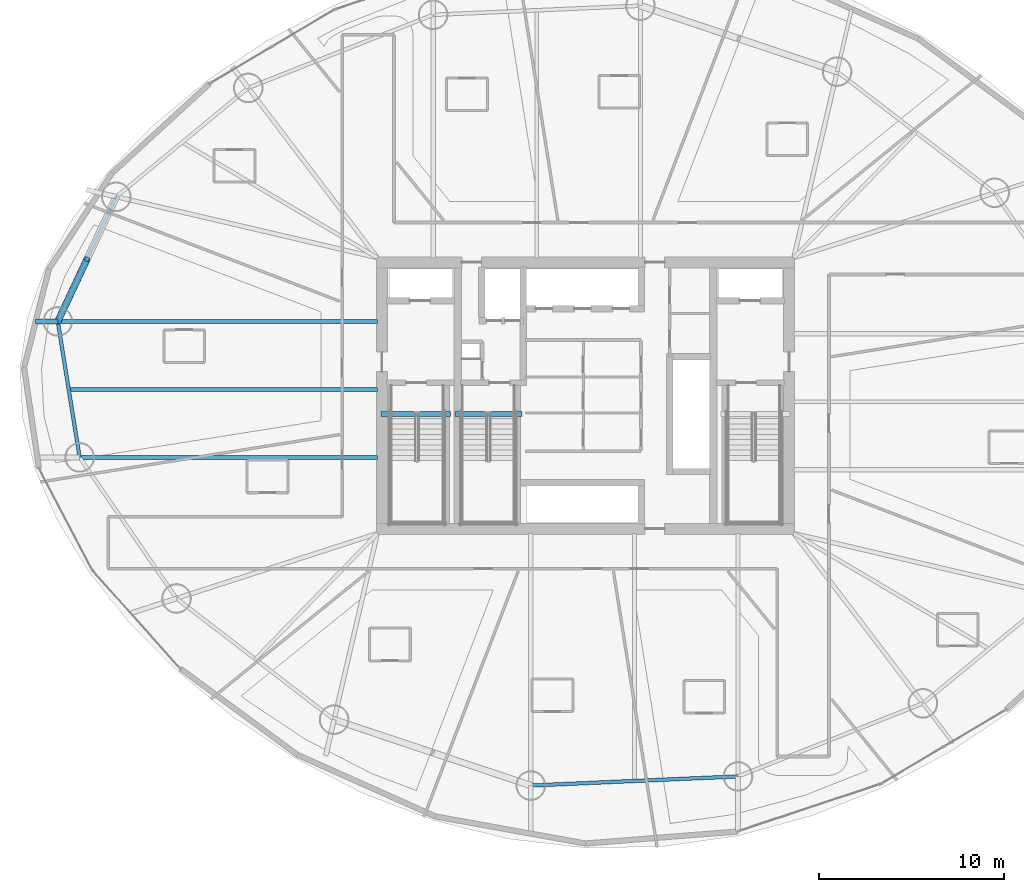
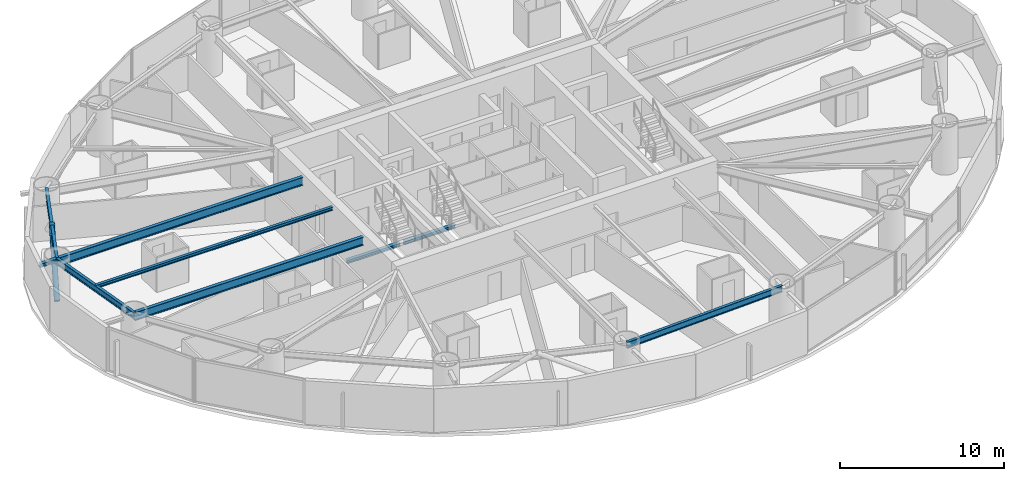
# One storey, part 5 of 25: 9 beams, 1 member.
"""IFC4 building model written with IfcOpenShell, lengths in metres."""

from ifc_helpers import new_model, si_unit, direction, frame, origin, origin_2d, place, context, subcontext, project, spatial, hollow_circle, i_section, extrude, material, material_profile, profile_set, type_object, element, save


model = new_model("IFC4")

# Units and contexts
model_context = context("Model", 3, precision=1e-05, world=origin(), true_north=direction((0.0, 1.0)))
body_context = subcontext(model_context, "Body", "Model", "MODEL_VIEW")
ifc_project = project(units=[si_unit("LENGTHUNIT", "METRE"), si_unit("AREAUNIT", "SQUARE_METRE"), si_unit("VOLUMEUNIT", "CUBIC_METRE"), si_unit("PLANEANGLEUNIT", "RADIAN"), si_unit("MASSUNIT", "GRAM", prefix="KILO")], contexts=[model_context])

# Site, building, storey
site_placement = place(None, origin())
site = spatial("IfcSite", under=ifc_project, at=site_placement, CompositionType="ELEMENT")
building_placement = place(site_placement, origin())
building = spatial("IfcBuilding", under=site, at=building_placement, Name="Bramvorn Convention Spire", CompositionType="ELEMENT")
storey_placement = place(building_placement, frame((0.0, 0.0, 48.39990234375)))
storey = spatial("IfcBuildingStorey", under=building, at=storey_placement, Name="L09", CompositionType="ELEMENT", Elevation=48.39990234375)

# Beams
ifc_material = material(Name="Steel CSA G40.21 Grade 350 (350W)", Category="steel")
ifc_material_profile_1 = material_profile(ifc_material, i_section(OverallWidth=0.201904296875, OverallDepth=0.2470703125, WebThickness=0.00732421875, FlangeThickness=0.010986328125, FilletRadius=0.011962890625, at=origin_2d()))
ifc_profile_set_1 = profile_set([ifc_material_profile_1], Name="Steel CSA G40.21 Grade 350 (350W) - W250X49")
beam_type_1 = type_object("IfcBeamType", Name="BM-W250X49", PredefinedType="JOIST", material=ifc_profile_set_1)
beam_1_placement = place(storey_placement, frame((26.75, 26.333984375, 3.126708984375), z_axis=(-1.0, 0.0, 0.0), x_axis=(0.0, -1.0, 0.0)))
element("IfcBeam", 1, at=beam_1_placement, inside=storey, type_object=beam_type_1, Name="L09 composite floor joist 09", PredefinedType="JOIST", context=body_context, shape_type="SweptSolid", body=[
    extrude(i_section(OverallWidth=0.201904296875, OverallDepth=0.2470703125, WebThickness=0.00732421875, FlangeThickness=0.010986328125, FilletRadius=0.011962890625, at=origin_2d()), origin(), (0.0, 0.0, 1.0), 16.67919921875),
])
ifc_material_profile_2 = material_profile(ifc_material, i_section(OverallWidth=0.25390625, OverallDepth=0.2529296875, WebThickness=0.008544921875, FlangeThickness=0.01416015625, FilletRadius=0.011962890625, at=origin_2d()))
ifc_profile_set_2 = profile_set([ifc_material_profile_2], Name="Steel CSA G40.21 Grade 350 (350W) - W250X73")
beam_type_2 = type_object("IfcBeamType", Name="BM-W250X73", PredefinedType="BEAM", material=ifc_profile_set_2)
beam_2_placement = place(storey_placement, frame((9.480224609375, 30.00830078125, 3.108642578125), z_axis=(-1.0, 0.0, 0.0), x_axis=(0.0, -1.0, 0.0)))
element("IfcBeam", 2, at=beam_2_placement, inside=storey, type_object=beam_type_2, Name="L09 slab-edge cantilever tip beam MC09", PredefinedType="BEAM", context=body_context, shape_type="SweptSolid", body=[
    extrude(i_section(OverallWidth=0.25390625, OverallDepth=0.2529296875, WebThickness=0.008544921875, FlangeThickness=0.01416015625, FilletRadius=0.011962890625, at=origin_2d()), origin(), (0.0, 0.0, 1.0), 1.217529296875),
])
beam_3_placement = place(storey_placement, frame((26.949951171875, 25.010009765625, -0.12646484375), z_axis=(1.0, 0.0, 0.0), x_axis=(0.0, 1.0, 0.0)))
element("IfcBeam", 3, at=beam_3_placement, inside=storey, type_object=beam_type_2, Name="L09 ST1 stair arrival header beam", PredefinedType="BEAM", context=body_context, shape_type="SweptSolid", body=[
    extrude(i_section(OverallWidth=0.25390625, OverallDepth=0.2529296875, WebThickness=0.008544921875, FlangeThickness=0.01416015625, FilletRadius=0.011962890625, at=origin_2d()), origin(), (0.0, 0.0, 1.0), 3.739990234375),
])
beam_4_placement = place(storey_placement, frame((30.949951171875, 25.010009765625, -0.12646484375), z_axis=(1.0, 0.0, 0.0), x_axis=(0.0, 1.0, 0.0)))
element("IfcBeam", 4, at=beam_4_placement, inside=storey, type_object=beam_type_2, Name="L09 ST3 stair arrival header beam", PredefinedType="BEAM", context=body_context, shape_type="SweptSolid", body=[
    extrude(i_section(OverallWidth=0.25390625, OverallDepth=0.2529296875, WebThickness=0.008544921875, FlangeThickness=0.01416015625, FilletRadius=0.011962890625, at=origin_2d()), origin(), (0.0, 0.0, 1.0), 3.610107421875),
])
ifc_material_profile_3 = material_profile(ifc_material, i_section(OverallWidth=0.194091796875, OverallDepth=0.468994140625, WebThickness=0.0126953125, FlangeThickness=0.0205078125, FilletRadius=0.01806640625, at=origin_2d()))
ifc_profile_set_3 = profile_set([ifc_material_profile_3], Name="Steel CSA G40.21 Grade 350 (350W) - W460X106")
beam_type_3 = type_object("IfcBeamType", Name="BM-W460X106", PredefinedType="SPANDREL", material=ifc_profile_set_3)
for number, where, z_axis, x_axis, name in (
    (5, (12.64111328125, 36.746337890625, 3.015625), (-0.424701955478, -0.9053332254, 0.0), (0.9053332254, -0.424701955478, 0.0), "L09 mega-column ring beam 08"),
    (6, (9.480224609375, 30.00830078125, 3.015625), (0.158699222824, -0.987326975563, 0.0), (0.987326975563, 0.158699222824, 0.0), "L09 mega-column ring beam 09"),
):
    element("IfcBeam", number, at=place(storey_placement, frame(where, z_axis=z_axis, x_axis=x_axis)), inside=storey, type_object=beam_type_3, Name=name, PredefinedType="SPANDREL", context=body_context, shape_type="SweptSolid", body=[
        extrude(i_section(OverallWidth=0.194091796875, OverallDepth=0.468994140625, WebThickness=0.0126953125, FlangeThickness=0.0205078125, FilletRadius=0.01806640625, at=origin_2d()), origin(), (0.0, 0.0, 1.0), 7.442626953125),
    ])
beam_5_placement = place(storey_placement, frame((35.0390625, 4.93115234375, 3.015625), z_axis=(0.999035582762, 0.043907907889, 0.0), x_axis=(-0.043907907889, 0.999035582762, 0.0)))
element("IfcBeam", 7, at=beam_5_placement, inside=storey, type_object=beam_type_3, Name="L09 mega-column ring beam 13", PredefinedType="SPANDREL", context=body_context, shape_type="SweptSolid", body=[
    extrude(i_section(OverallWidth=0.194091796875, OverallDepth=0.468994140625, WebThickness=0.0126953125, FlangeThickness=0.0205078125, FilletRadius=0.01806640625, at=origin_2d()), origin(), (0.0, 0.0, 1.0), 11.20947265625),
])
ifc_material_profile_4 = material_profile(ifc_material, i_section(OverallWidth=0.22998046875, OverallDepth=0.616943359375, WebThickness=0.01318359375, FlangeThickness=0.022216796875, FilletRadius=0.02001953125, at=origin_2d()))
ifc_profile_set_4 = profile_set([ifc_material_profile_4], Name="Steel CSA G40.21 Grade 350 (350W) - W610X140")
beam_type_4 = type_object("IfcBeamType", Name="BM-W610X140", PredefinedType="BEAM", material=ifc_profile_set_4)
beam_6_placement = place(storey_placement, frame((26.75, 30.00830078125, 2.941650390625), z_axis=(-1.0, 0.0, 0.0), x_axis=(0.0, -1.0, 0.0)))
element("IfcBeam", 8, at=beam_6_placement, inside=storey, type_object=beam_type_4, Name="L09 radial floor girder MC09", PredefinedType="BEAM", context=body_context, shape_type="SweptSolid", body=[
    extrude(i_section(OverallWidth=0.22998046875, OverallDepth=0.616943359375, WebThickness=0.01318359375, FlangeThickness=0.022216796875, FilletRadius=0.02001953125, at=origin_2d()), origin(), (0.0, 0.0, 1.0), 17.269775390625),
])
beam_7_placement = place(storey_placement, frame((26.75, 22.659912109375, 2.941650390625), z_axis=(-1.0, 0.0, 0.0), x_axis=(0.0, -1.0, 0.0)))
element("IfcBeam", 9, at=beam_7_placement, inside=storey, type_object=beam_type_4, Name="L09 radial floor girder MC10", PredefinedType="BEAM", context=body_context, shape_type="SweptSolid", body=[
    extrude(i_section(OverallWidth=0.22998046875, OverallDepth=0.616943359375, WebThickness=0.01318359375, FlangeThickness=0.022216796875, FilletRadius=0.02001953125, at=origin_2d()), origin(), (0.0, 0.0, 1.0), 16.088623046875),
])

# Member
ifc_material_profile_5 = material_profile(ifc_material, hollow_circle(Radius=0.177734375, WallThickness=0.015869140625, at=origin_2d()))
ifc_profile_set_5 = profile_set([ifc_material_profile_5], Name="Steel CSA G40.21 Grade 350 (350W) - CHS356X16")
member_type = type_object("IfcMemberType", Name="MBR-CHS356X16", PredefinedType="BRACE", material=ifc_profile_set_5)
member_placement = place(storey_placement, frame((9.480224609375, 30.00830078125, 0.0), z_axis=(0.319909760159, 0.681871297566, 0.657806414465), x_axis=(-0.905314694797, 0.424741454752, 0.0)))
element("IfcMember", 10, at=member_placement, inside=storey, type_object=member_type, Name="L09 perimeter Gothic lancet brace 8B", PredefinedType="BRACE", context=body_context, shape_type="SweptSolid", body=[
    extrude(hollow_circle(Radius=0.177734375, WallThickness=0.015869140625, at=origin_2d()), origin(), (0.0, 0.0, 1.0), 4.940673828125),
])

save(model, "model.ifc")
